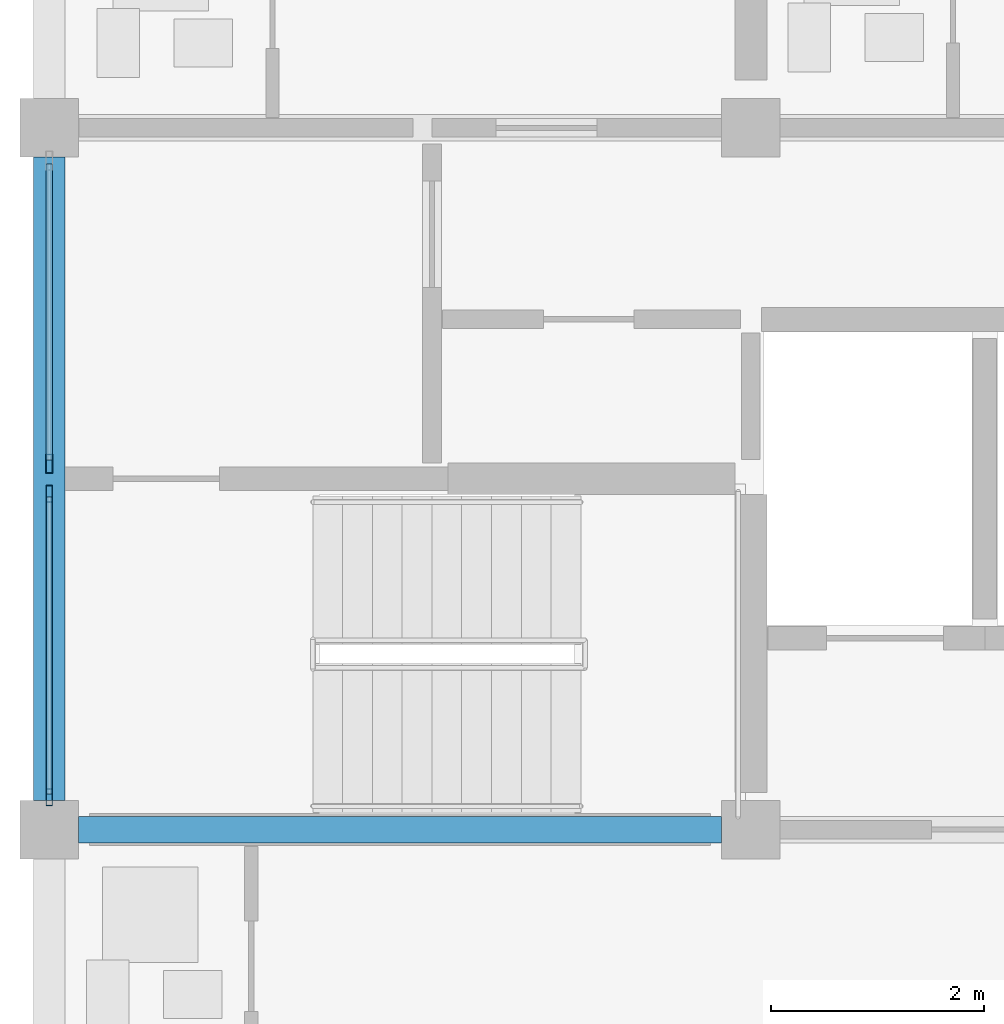
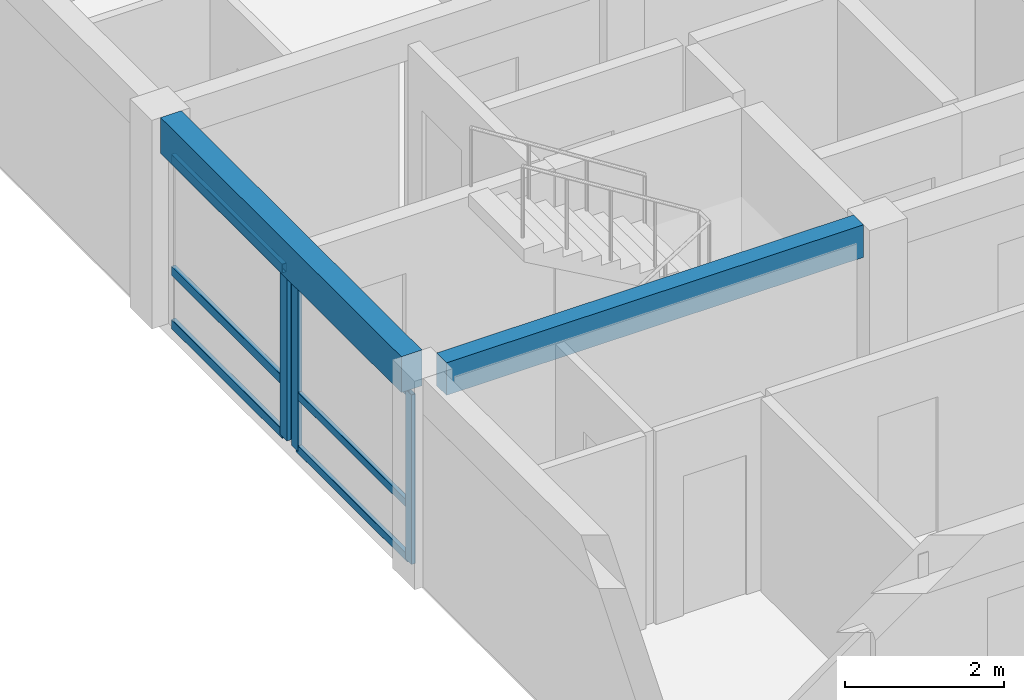
# One storey, part 15 of 45: 9 members, 2 beams, 2 elements without a shape of their own.
"""IFC4 building model written with IfcOpenShell, lengths in metres."""

from ifc_helpers import new_model, si_unit, direction, frame, origin, origin_2d, place, context, subcontext, project, spatial, rectangle, hollow_rectangle, extrude, material, material_profile, profile_set, type_object, element, aggregate, save


model = new_model("IFC4")

# Units and contexts
model_context = context("Model", 3, precision=1e-05, world=origin(), true_north=direction((0.0, 1.0)))
body_context = subcontext(model_context, "Body", "Model", "MODEL_VIEW")
ifc_project = project(units=[si_unit("LENGTHUNIT", "METRE"), si_unit("AREAUNIT", "SQUARE_METRE"), si_unit("VOLUMEUNIT", "CUBIC_METRE"), si_unit("PLANEANGLEUNIT", "RADIAN"), si_unit("MASSUNIT", "GRAM", prefix="KILO")], contexts=[model_context])

# Site, building, storey
site_placement = place(None, origin())
site = spatial("IfcSite", under=ifc_project, at=site_placement, CompositionType="ELEMENT")
building_placement = place(site_placement, origin())
building = spatial("IfcBuilding", under=site, at=building_placement, Name="Kernevlak Ridge Housing Community", CompositionType="ELEMENT")
storey_placement = place(building_placement, frame((0.0, 0.0, 14.800048828125)))
storey = spatial("IfcBuildingStorey", under=building, at=storey_placement, Name="L04", CompositionType="ELEMENT", Elevation=14.800048828125)

# Beam
ifc_material_1 = material(Name="Concrete C35/45", Category="concrete")
ifc_material_profile_1 = material_profile(ifc_material_1, rectangle(XDim=0.25, YDim=0.5, at=origin_2d()), Name="RC 250x500")
ifc_profile_set_1 = profile_set([ifc_material_profile_1], Name="Concrete C35/45")
beam_type_1 = type_object("IfcBeamType", Name="B-06", PredefinedType="T_BEAM", material=ifc_profile_set_1)
beam_1_placement = place(storey_placement, frame((15.875, 82.60009765625, 2.949951171875), z_axis=(1.0, 0.0, 0.0), x_axis=(0.0, 1.0, 0.0)))
element("IfcBeam", 1, at=beam_1_placement, inside=storey, type_object=beam_type_1, Name="Beam B-06 L04 166", PredefinedType="T_BEAM", context=body_context, shape_type="SweptSolid", body=[
    extrude(rectangle(XDim=0.25, YDim=0.5, at=origin_2d()), origin(), (0.0, 0.0, 1.0), 6.050048828125),
])

# Curtain wall, members
ifc_material_2 = material(Name="Aluminium EN AW-6060 anodised and laminated glass", Category="aluminium")
curtain_wall_type_1 = type_object("IfcCurtainWallType", Name="CW-01", PredefinedType="NOTDEFINED", material=ifc_material_2)
curtain_wall_1_placement = place(storey_placement, origin())
curtain_wall_1 = element("IfcCurtainWall", 2, at=curtain_wall_1_placement, inside=storey, type_object=curtain_wall_type_1, Name="Curtain wall CW-01 CW-L04-013", PredefinedType="NOTDEFINED")
ifc_material_3 = material(Name="Aluminium EN AW-6060 anodised", Category="aluminium")
ifc_material_profile_2 = material_profile(ifc_material_3, hollow_rectangle(XDim=0.06005859375, YDim=0.159912109375, WallThickness=0.00390625, InnerFilletRadius=0.001953125, OuterFilletRadius=0.00390625, at=origin_2d()), Name="ALU 60x160x4")
ifc_profile_set_2 = profile_set([ifc_material_profile_2], Name="Aluminium EN AW-6060 anodised")
member_type_1 = type_object("IfcMemberType", Name="MU-02", PredefinedType="MULLION", material=ifc_profile_set_2)
member_1_placement = place(storey_placement, frame((15.60009765625, 82.905029296875, 0.0), z_axis=(0.0, 0.0, 1.0), x_axis=(-1.0, 0.0, 0.0)))
member_1 = element("IfcMember", 3, at=member_1_placement, type_object=member_type_1, Name="CW-01 mullion 1", PredefinedType="MULLION", context=body_context, shape_type="SweptSolid", body=[
    extrude(hollow_rectangle(XDim=0.06005859375, YDim=0.159912109375, WallThickness=0.00390625, InnerFilletRadius=0.001953125, OuterFilletRadius=0.00390625, at=origin_2d()), origin(), (0.0, 0.0, 1.0), 2.599853515625),
])
member_2_placement = place(storey_placement, frame((15.60009765625, 85.760009765625, 0.0), z_axis=(0.0, 0.0, 1.0), x_axis=(-1.0, 0.0, 0.0)))
member_2 = element("IfcMember", 4, at=member_2_placement, type_object=member_type_1, Name="CW-01 mullion 2", PredefinedType="MULLION", context=body_context, shape_type="SweptSolid", body=[
    extrude(hollow_rectangle(XDim=0.06005859375, YDim=0.159912109375, WallThickness=0.00390625, InnerFilletRadius=0.001953125, OuterFilletRadius=0.00390625, at=origin_2d()), origin(), (0.0, 0.0, 1.0), 2.599853515625),
])

# Curtain wall, member
curtain_wall_type_2 = type_object("IfcCurtainWallType", Name="CW-08", PredefinedType="NOTDEFINED", material=ifc_material_2)
curtain_wall_2_placement = place(storey_placement, origin())
curtain_wall_2 = element("IfcCurtainWall", 5, at=curtain_wall_2_placement, inside=storey, type_object=curtain_wall_type_2, Name="Curtain wall CW-08 CW-L04-014", PredefinedType="NOTDEFINED")
ifc_material_profile_3 = material_profile(ifc_material_3, hollow_rectangle(XDim=0.06494140625, YDim=0.179931640625, WallThickness=0.00439453125, InnerFilletRadius=0.001953125, OuterFilletRadius=0.00439453125, at=origin_2d()), Name="ALU 65x180x4.5")
ifc_profile_set_3 = profile_set([ifc_material_profile_3], Name="Aluminium EN AW-6060 anodised")
member_type_2 = type_object("IfcMemberType", Name="MU-03", PredefinedType="MULLION", material=ifc_profile_set_3)
member_3_placement = place(storey_placement, frame((15.60009765625, 86.04248046875, 0.0), z_axis=(0.0, 0.0, 1.0), x_axis=(-1.0, 0.0, 0.0)))
member_3 = element("IfcMember", 6, at=member_3_placement, type_object=member_type_2, Name="CW-08 mullion 1", PredefinedType="MULLION", context=body_context, shape_type="SweptSolid", body=[
    extrude(hollow_rectangle(XDim=0.06494140625, YDim=0.179931640625, WallThickness=0.00439453125, InnerFilletRadius=0.001953125, OuterFilletRadius=0.00439453125, at=origin_2d()), origin(), (0.0, 0.0, 1.0), 2.599853515625),
])

# Beam
ifc_material_profile_4 = material_profile(ifc_material_1, rectangle(XDim=0.300048828125, YDim=0.550048828125, at=origin_2d()), Name="RC 300x550")
ifc_profile_set_4 = profile_set([ifc_material_profile_4], Name="Concrete C35/45")
beam_type_2 = type_object("IfcBeamType", Name="SP-01", PredefinedType="SPANDREL", material=ifc_profile_set_4)
beam_2_placement = place(storey_placement, frame((15.60009765625, 82.875, 2.925048828125), z_axis=(0.0, 1.0, 0.0), x_axis=(-1.0, 0.0, 0.0)))
element("IfcBeam", 7, at=beam_2_placement, inside=storey, type_object=beam_type_2, Name="Beam SP-01 L04 182", PredefinedType="SPANDREL", context=body_context, shape_type="SweptSolid", body=[
    extrude(rectangle(XDim=0.300048828125, YDim=0.550048828125, at=origin_2d()), origin(), (0.0, 0.0, 1.0), 6.050048828125),
])

# Member
ifc_material_profile_5 = material_profile(ifc_material_3, hollow_rectangle(XDim=0.06005859375, YDim=0.1201171875, WallThickness=0.00390625, InnerFilletRadius=0.001953125, OuterFilletRadius=0.00390625, at=origin_2d()), Name="ALU 60x120x4")
ifc_profile_set_5 = profile_set([ifc_material_profile_5], Name="Aluminium EN AW-6060 anodised")
member_type_3 = type_object("IfcMemberType", Name="TM-02", PredefinedType="USERDEFINED", material=ifc_profile_set_5)
member_4_placement = place(storey_placement, frame((15.60009765625, 82.93505859375, 0.030029296875), z_axis=(0.0, 1.0, 0.0), x_axis=(-1.0, 0.0, 0.0)))
member_4 = element("IfcMember", 8, at=member_4_placement, type_object=member_type_3, Name="CW-01 transom 1.1", ObjectType="TRANSOM", PredefinedType="USERDEFINED", context=body_context, shape_type="SweptSolid", body=[
    extrude(hollow_rectangle(XDim=0.06005859375, YDim=0.1201171875, WallThickness=0.00390625, InnerFilletRadius=0.001953125, OuterFilletRadius=0.00390625, at=origin_2d()), origin(), (0.0, 0.0, 1.0), 2.794921875),
])

member_5_placement = place(storey_placement, frame((15.60009765625, 82.93505859375, 0.849853515625), z_axis=(0.0, 1.0, 0.0), x_axis=(-1.0, 0.0, 0.0)))
member_5 = element("IfcMember", 9, at=member_5_placement, type_object=member_type_3, Name="CW-01 transom 1.2", ObjectType="TRANSOM", PredefinedType="USERDEFINED", context=body_context, shape_type="SweptSolid", body=[
    extrude(hollow_rectangle(XDim=0.06005859375, YDim=0.1201171875, WallThickness=0.00390625, InnerFilletRadius=0.001953125, OuterFilletRadius=0.00390625, at=origin_2d()), origin(), (0.0, 0.0, 1.0), 2.794921875),
])

member_6_placement = place(storey_placement, frame((15.60009765625, 82.93505859375, 2.570068359375), z_axis=(0.0, 1.0, 0.0), x_axis=(-1.0, 0.0, 0.0)))
member_6 = element("IfcMember", 10, at=member_6_placement, type_object=member_type_3, Name="CW-01 transom 1.3", ObjectType="TRANSOM", PredefinedType="USERDEFINED", context=body_context, shape_type="SweptSolid", body=[
    extrude(hollow_rectangle(XDim=0.06005859375, YDim=0.1201171875, WallThickness=0.00390625, InnerFilletRadius=0.001953125, OuterFilletRadius=0.00390625, at=origin_2d()), origin(), (0.0, 0.0, 1.0), 2.794921875),
])

aggregate(curtain_wall_1, [member_1, member_2, member_4, member_5, member_6])

ifc_material_profile_6 = material_profile(ifc_material_3, hollow_rectangle(XDim=0.06494140625, YDim=0.139892578125, WallThickness=0.00390625, InnerFilletRadius=0.001953125, OuterFilletRadius=0.00390625, at=origin_2d()), Name="ALU 65x140x4")
ifc_profile_set_6 = profile_set([ifc_material_profile_6], Name="Aluminium EN AW-6060 anodised")
member_type_4 = type_object("IfcMemberType", Name="TM-03", PredefinedType="USERDEFINED", material=ifc_profile_set_6)
member_7_placement = place(storey_placement, frame((15.60009765625, 86.074951171875, 0.032470703125), z_axis=(0.0, 1.0, 0.0), x_axis=(-1.0, 0.0, 0.0)))
member_7 = element("IfcMember", 11, at=member_7_placement, type_object=member_type_4, Name="CW-08 transom 1.1", ObjectType="TRANSOM", PredefinedType="USERDEFINED", context=body_context, shape_type="SweptSolid", body=[
    extrude(hollow_rectangle(XDim=0.06494140625, YDim=0.139892578125, WallThickness=0.00390625, InnerFilletRadius=0.001953125, OuterFilletRadius=0.00390625, at=origin_2d()), origin(), (0.0, 0.0, 1.0), 2.78515625),
])

member_8_placement = place(storey_placement, frame((15.60009765625, 86.074951171875, 0.849853515625), z_axis=(0.0, 1.0, 0.0), x_axis=(-1.0, 0.0, 0.0)))
member_8 = element("IfcMember", 12, at=member_8_placement, type_object=member_type_4, Name="CW-08 transom 1.2", ObjectType="TRANSOM", PredefinedType="USERDEFINED", context=body_context, shape_type="SweptSolid", body=[
    extrude(hollow_rectangle(XDim=0.06494140625, YDim=0.139892578125, WallThickness=0.00390625, InnerFilletRadius=0.001953125, OuterFilletRadius=0.00390625, at=origin_2d()), origin(), (0.0, 0.0, 1.0), 2.78515625),
])

member_9_placement = place(storey_placement, frame((15.60009765625, 86.074951171875, 2.5673828125), z_axis=(0.0, 1.0, 0.0), x_axis=(-1.0, 0.0, 0.0)))
member_9 = element("IfcMember", 13, at=member_9_placement, type_object=member_type_4, Name="CW-08 transom 1.3", ObjectType="TRANSOM", PredefinedType="USERDEFINED", context=body_context, shape_type="SweptSolid", body=[
    extrude(hollow_rectangle(XDim=0.06494140625, YDim=0.139892578125, WallThickness=0.00390625, InnerFilletRadius=0.001953125, OuterFilletRadius=0.00390625, at=origin_2d()), origin(), (0.0, 0.0, 1.0), 2.78515625),
])

aggregate(curtain_wall_2, [member_3, member_7, member_8, member_9])

save(model, "model.ifc")
